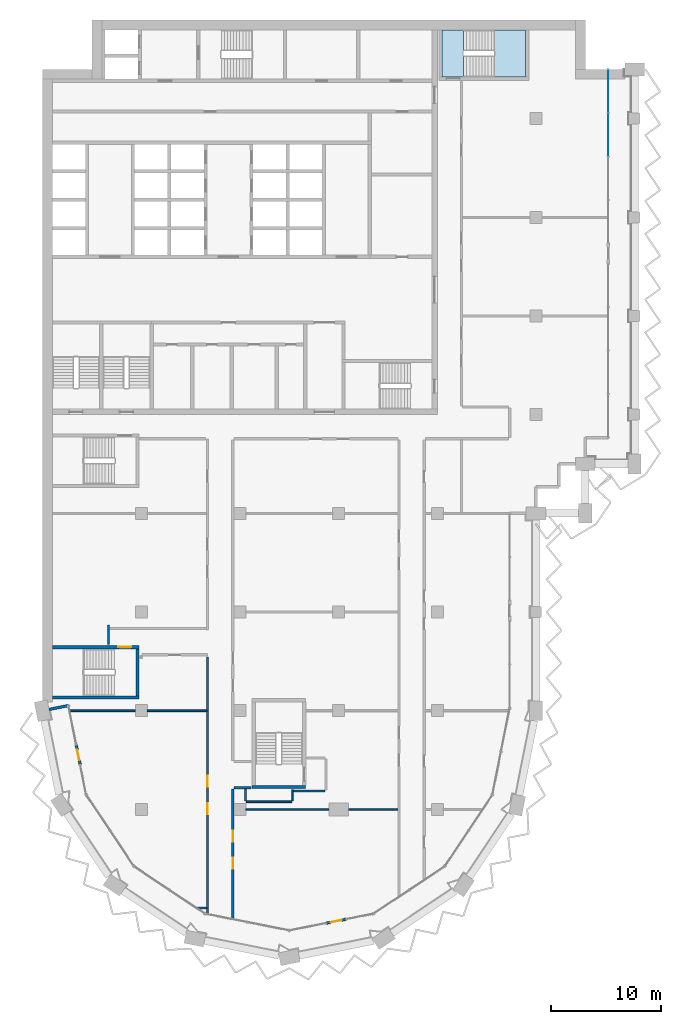
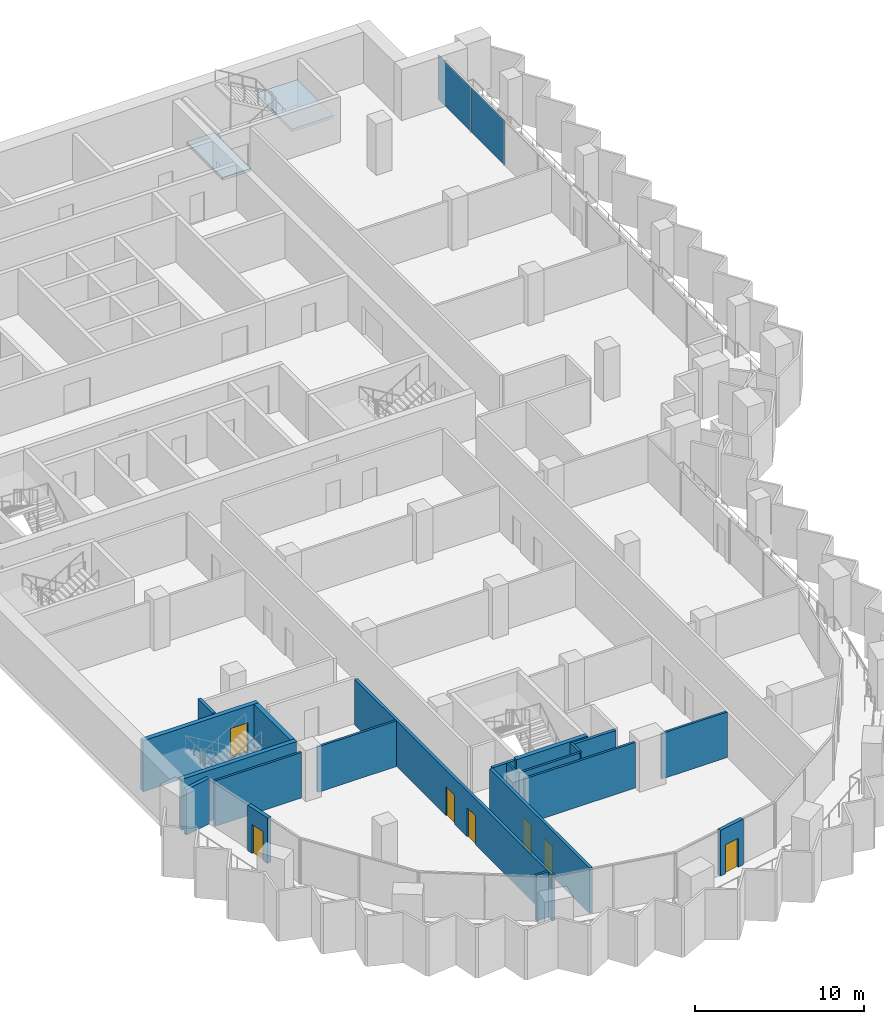
# One storey, part 7 of 17: 20 walls, 7 doors, 2 plates, 2 slabs, 7 openings, 2 elements without a shape of their own.
"""IFC4 building model written with IfcOpenShell, lengths in metres."""

from ifc_helpers import new_model, si_unit, direction, frame, frame_2d, origin, origin_2d, place, context, subcontext, project, spatial, polyline, rectangle, outline, extrude, material, layer, layer_set, type_object, element, fill, aggregate, save


model = new_model("IFC4")

# Units and contexts
model_context = context("Model", 3, precision=1e-05, world=origin(), true_north=direction((0.0, 1.0)))
body_context = subcontext(model_context, "Body", "Model", "MODEL_VIEW")
ifc_project = project(units=[si_unit("LENGTHUNIT", "METRE"), si_unit("AREAUNIT", "SQUARE_METRE"), si_unit("VOLUMEUNIT", "CUBIC_METRE"), si_unit("PLANEANGLEUNIT", "RADIAN"), si_unit("MASSUNIT", "GRAM", prefix="KILO")], contexts=[model_context])

# Site, building, storey
site_placement = place(None, origin())
site = spatial("IfcSite", under=ifc_project, at=site_placement, CompositionType="ELEMENT")
building_placement = place(site_placement, origin())
building = spatial("IfcBuilding", under=site, at=building_placement, Name="Hunhe Ridgeline Campus", CompositionType="ELEMENT")
storey_placement = place(building_placement, frame((0.0, 0.0, 186.5)))
storey = spatial("IfcBuildingStorey", under=building, at=storey_placement, Name="L47", CompositionType="ELEMENT", Elevation=186.5)

# Curtain wall, plates
ifc_material_1 = material(Name="Aluminium 6063", Category="aluminium")
curtain_wall_type = type_object("IfcCurtainWallType", Name="Curtain wall CW-1", PredefinedType="NOTDEFINED", material=ifc_material_1)
curtain_wall_placement = place(storey_placement, origin())
curtain_wall = element("IfcCurtainWall", 1, at=curtain_wall_placement, inside=storey, type_object=curtain_wall_type, Name="Curtain wall 14", PredefinedType="NOTDEFINED")
ifc_material_2 = material(Name="Low-e laminated glass", Category="glass")
ifc_layer_1 = layer(ifc_material_2, 0.028076171875)
ifc_layer_set_1 = layer_set([ifc_layer_1], Name="Curtain wall glass panel 28 low-e laminated")
plate_type = type_object("IfcPlateType", Name="Curtain wall glass panel 28 low-e laminated", PredefinedType="CURTAIN_PANEL", material=ifc_layer_set_1)
plate_1_placement = place(storey_placement, frame((51.59912109375, 88.53759765625, 0.0), z_axis=(0.0, 0.0, 1.0), x_axis=(0.0, 1.0, 0.0)))
plate_1 = element("IfcPlate", 2, at=plate_1_placement, type_object=plate_type, Name="CW-1 panel 3", PredefinedType="CURTAIN_PANEL", context=body_context, shape_type="SweptSolid", body=[
    extrude(rectangle(XDim=3.914794921875, YDim=0.028076171875, at=origin_2d()), origin(), (0.0, 0.0, 1.0), 3.239990234375),
])
plate_2_placement = place(storey_placement, frame((51.59912109375, 92.49755859375, 0.0), z_axis=(0.0, 0.0, 1.0), x_axis=(0.0, 1.0, 0.0)))
plate_2 = element("IfcPlate", 3, at=plate_2_placement, type_object=plate_type, Name="CW-1 panel 4", PredefinedType="CURTAIN_PANEL", context=body_context, shape_type="SweptSolid", body=[
    extrude(rectangle(XDim=3.884765625, YDim=0.028076171875, at=origin_2d()), origin(), (0.0, 0.0, 1.0), 3.239990234375),
])
aggregate(curtain_wall, [plate_1, plate_2])

# Stair, slab
ifc_material_3 = material(Name="Concrete C40", Category="concrete")
stair_type = type_object("IfcStairType", Name="Reinforced concrete dog-leg stair 1950 Concrete C40", PredefinedType="HALF_TURN_STAIR", material=ifc_material_3)
stair_placement = place(storey_placement, origin())
stair = element("IfcStair", 4, at=stair_placement, inside=storey, type_object=stair_type, Name="L47 E1", PredefinedType="HALF_TURN_STAIR")
ifc_layer_2 = layer(ifc_material_3, 0.199951171875)
ifc_layer_set_2 = layer_set([ifc_layer_2], Name="Reinforced concrete stair landing 200 Concrete C40")
slab_type = type_object("IfcSlabType", Name="Reinforced concrete stair landing 200 Concrete C40", PredefinedType="LANDING", material=ifc_layer_set_2)
slab_1_placement = place(storey_placement, frame((0.0, 0.0, 1.64990234375)))
slab_1 = element("IfcSlab", 5, at=slab_1_placement, type_object=slab_type, Name="ST5 landing 1", PredefinedType="LANDING", context=body_context, shape_type="SweptSolid", body=[
    extrude(outline(polyline([(41.199951171875, 93.800048828125), (44.050048828125, 93.800048828125), (44.050048828125, 98.10009765625), (41.199951171875, 98.10009765625), (41.199951171875, 93.800048828125)])), origin(), (0.0, 0.0, 1.0), 0.2001953125),
])
aggregate(stair, [slab_1])

# Slab
slab_2_placement = place(storey_placement, frame((0.0, 0.0, -0.199951171875)))
element("IfcSlab", 6, at=slab_2_placement, inside=storey, type_object=slab_type, Name="L47 stair E1 floor landing", PredefinedType="LANDING", context=body_context, shape_type="SweptSolid", body=[
    extrude(outline(polyline([(36.449951171875, 93.800048828125), (38.39990234375, 93.800048828125), (38.39990234375, 98.10009765625), (36.449951171875, 98.10009765625), (36.449951171875, 93.800048828125)])), origin(), (0.0, 0.0, 1.0), 0.199951171875),
])

# Walls
ifc_material_4 = material(Name="Concrete C30", Category="concrete")
ifc_layer_3 = layer(ifc_material_4, 0.25)
ifc_layer_set_3 = layer_set([ifc_layer_3], Name="Corner return wall 250 Concrete C30")
wall_type_1 = type_object("IfcWallType", Name="Corner return wall 250 Concrete C30", PredefinedType="SOLIDWALL", material=ifc_layer_set_3)
wall_1_placement = place(storey_placement, frame((0.58837890625, 36.117919921875, 0.0), z_axis=(0.0, 0.0, 1.0), x_axis=(0.980840518545, 0.194812415363, 0.0)))
element("IfcWall", 7, at=wall_1_placement, inside=storey, type_object=wall_type_1, Name="Corner return wall 1", PredefinedType="SOLIDWALL", context=body_context, shape_type="SweptSolid", body=[
    extrude(rectangle(XDim=1.80078125, YDim=0.25, at=frame_2d((0.900390625, 0.0))), origin(), (0.0, 0.0, 1.0), 3.300048828125),
])
ifc_material_5 = material(Name="Gypsum board partition")
ifc_layer_4 = layer(ifc_material_5, 0.199951171875)
ifc_layer_set_4 = layer_set([ifc_layer_4], Name="Corridor partition 200 gypsum board on steel studs")
wall_type_2 = type_object("IfcWallType", Name="Corridor partition 200 gypsum board on steel studs", PredefinedType="PARTITIONING", material=ifc_layer_set_4)
wall_2_placement = place(storey_placement, frame((25.75, 28.675048828125, 0.0), z_axis=(0.0, 0.0, 1.0), x_axis=(-1.0, 0.0, 0.0)))
element("IfcWall", 8, at=wall_2_placement, inside=storey, type_object=wall_type_2, Name="F-L47-wall-007", PredefinedType="PARTITIONING", context=body_context, shape_type="SweptSolid", body=[
    extrude(rectangle(XDim=2.875, YDim=0.199951171875, at=frame_2d((1.4375, 0.0))), origin(), (0.0, 0.0, 1.0), 3.300048828125),
])
wall_3_placement = place(storey_placement, frame((18.99609375, 28.97509765625, 0.0), z_axis=(0.0, 0.0, 1.0), x_axis=(-1.0, 0.0, 0.0)))
element("IfcWall", 9, at=wall_3_placement, inside=storey, type_object=wall_type_2, Name="F-L47-wall-008", PredefinedType="PARTITIONING", context=body_context, shape_type="SweptSolid", body=[
    extrude(rectangle(XDim=1.546142578125, YDim=0.199951171875, at=frame_2d((0.77294921875, 0.0))), origin(), (0.0, 0.0, 1.0), 3.300048828125),
])
wall_4_placement = place(storey_placement, frame((6.0, 42.053955078125, 0.0), z_axis=(0.0, 0.0, 1.0), x_axis=(0.0, 1.0, 0.0)))
element("IfcWall", 10, at=wall_4_placement, inside=storey, type_object=wall_type_2, Name="F-L47-wall-035", PredefinedType="PARTITIONING", context=body_context, shape_type="SweptSolid", body=[
    extrude(rectangle(XDim=1.74609375, YDim=0.199951171875, at=frame_2d((0.873046875, 0.0))), origin(), (0.0, 0.0, 1.0), 3.300048828125),
])

# Wall, openings, doors
wall_5_placement = place(storey_placement, frame((15.050048828125, 17.485107421875, 0.0), z_axis=(0.0, 0.0, 1.0), x_axis=(0.0, 1.0, 0.0)))
wall_5 = element("IfcWall", 11, at=wall_5_placement, inside=storey, type_object=wall_type_2, Name="F-L47-wall-037", PredefinedType="PARTITIONING", context=body_context, shape_type="SweptSolid", body=[
    extrude(rectangle(XDim=23.39990234375, YDim=0.199951171875, at=frame_2d((11.699951171875, 0.0))), origin(), (0.0, 0.0, 1.0), 3.300048828125),
])
opening_1_placement = place(wall_5_placement, frame((9.061279296875, 0.0, 0.0)))
opening_1 = element("IfcOpeningElement", 12, at=opening_1_placement, cuts=wall_5, Name="Opening RD1-004", PredefinedType="OPENING", context=body_context, shape_type="SweptSolid", body=[
    extrude(rectangle(XDim=1.0, YDim=2.10009765625, at=frame_2d((0.5, 1.050048828125))), frame((0.0, 0.10009765625, 0.0), z_axis=(0.0, -1.0, 0.0), x_axis=(1.0, 0.0, 0.0)), (0.0, 0.0, 1.0), 0.199951171875),
])
opening_2_placement = place(wall_5_placement, frame((11.561279296875, 0.0, 0.0)))
opening_2 = element("IfcOpeningElement", 13, at=opening_2_placement, cuts=wall_5, Name="Opening RD1-005", PredefinedType="OPENING", context=body_context, shape_type="SweptSolid", body=[
    extrude(rectangle(XDim=1.0, YDim=2.10009765625, at=frame_2d((0.5, 1.050048828125))), frame((0.0, 0.10009765625, 0.0), z_axis=(0.0, -1.0, 0.0), x_axis=(1.0, 0.0, 0.0)), (0.0, 0.0, 1.0), 0.199951171875),
])
ifc_material_6 = material(Name="Timber door leaf", Category="wood")
door_type_1 = type_object("IfcDoorType", Name="Single fire door 1000x2100 timber FD60", OperationType="NOTDEFINED", PredefinedType="DOOR", material=ifc_material_6)
door_1_placement = place(opening_1_placement, frame((1.0, 0.0, 0.0), z_axis=(0.0, 0.0, 1.0), x_axis=(-1.0, 0.0, 0.0)))
door_1 = element("IfcDoor", 14, at=door_1_placement, inside=storey, type_object=door_type_1, Name="F-L47-door-004", OperationType="SINGLE_SWING_LEFT", OverallHeight=2.10009765625, OverallWidth=1.0, PredefinedType="DOOR", context=body_context, shape_type="SweptSolid", body=[
    extrude(rectangle(XDim=1.0, YDim=2.10009765625, at=frame_2d((0.5, 1.050048828125))), frame((0.0, 0.02490234375, 0.0), z_axis=(0.0, -1.0, 0.0), x_axis=(1.0, 0.0, 0.0)), (0.0, 0.0, 1.0), 0.050048828125),
])
fill(opening_1, door_1)
door_2_placement = place(opening_2_placement, frame((1.0, 0.0, 0.0), z_axis=(0.0, 0.0, 1.0), x_axis=(-1.0, 0.0, 0.0)))
door_2 = element("IfcDoor", 15, at=door_2_placement, inside=storey, type_object=door_type_1, Name="F-L47-door-005", OperationType="SINGLE_SWING_LEFT", OverallHeight=2.10009765625, OverallWidth=1.0, PredefinedType="DOOR", context=body_context, shape_type="SweptSolid", body=[
    extrude(rectangle(XDim=1.0, YDim=2.10009765625, at=frame_2d((0.5, 1.050048828125))), frame((0.0, 0.02490234375, 0.0), z_axis=(0.0, -1.0, 0.0), x_axis=(1.0, 0.0, 0.0)), (0.0, 0.0, 1.0), 0.050048828125),
])
fill(opening_2, door_2)

wall_6_placement = place(storey_placement, frame((17.35009765625, 28.875, 0.0), z_axis=(0.0, 0.0, 1.0), x_axis=(0.0, -1.0, 0.0)))
wall_6 = element("IfcWall", 16, at=wall_6_placement, inside=storey, type_object=wall_type_2, Name="F-L47-wall-039", PredefinedType="PARTITIONING", context=body_context, shape_type="SweptSolid", body=[
    extrude(rectangle(XDim=11.847412109375, YDim=0.199951171875, at=frame_2d((5.923828125, 0.0))), origin(), (0.0, 0.0, 1.0), 3.300048828125),
])
opening_3_placement = place(wall_6_placement, frame((6.305908203125, 0.0, 0.0)))
opening_3 = element("IfcOpeningElement", 17, at=opening_3_placement, cuts=wall_6, Name="Opening RD1-001", PredefinedType="OPENING", context=body_context, shape_type="SweptSolid", body=[
    extrude(rectangle(XDim=1.0, YDim=2.10009765625, at=frame_2d((0.5, 1.050048828125))), frame((0.0, 0.10009765625, 0.0), z_axis=(0.0, -1.0, 0.0), x_axis=(1.0, 0.0, 0.0)), (0.0, 0.0, 1.0), 0.199951171875),
])
opening_4_placement = place(wall_6_placement, frame((3.805908203125, 0.0, 0.0)))
opening_4 = element("IfcOpeningElement", 18, at=opening_4_placement, cuts=wall_6, Name="Opening RD1-003", PredefinedType="OPENING", context=body_context, shape_type="SweptSolid", body=[
    extrude(rectangle(XDim=1.0, YDim=2.10009765625, at=frame_2d((0.5, 1.050048828125))), frame((0.0, 0.10009765625, 0.0), z_axis=(0.0, -1.0, 0.0), x_axis=(1.0, 0.0, 0.0)), (0.0, 0.0, 1.0), 0.199951171875),
])
door_3_placement = place(opening_3_placement, frame((1.0, 0.0, 0.0), z_axis=(0.0, 0.0, 1.0), x_axis=(-1.0, 0.0, 0.0)))
door_3 = element("IfcDoor", 19, at=door_3_placement, inside=storey, type_object=door_type_1, Name="F-L47-door-001", OperationType="SINGLE_SWING_RIGHT", OverallHeight=2.10009765625, OverallWidth=1.0, PredefinedType="DOOR", context=body_context, shape_type="SweptSolid", body=[
    extrude(rectangle(XDim=1.0, YDim=2.10009765625, at=frame_2d((0.5, 1.050048828125))), frame((0.0, 0.02490234375, 0.0), z_axis=(0.0, -1.0, 0.0), x_axis=(1.0, 0.0, 0.0)), (0.0, 0.0, 1.0), 0.050048828125),
])
fill(opening_3, door_3)
door_4_placement = place(opening_4_placement, frame((1.0, 0.0, 0.0), z_axis=(0.0, 0.0, 1.0), x_axis=(-1.0, 0.0, 0.0)))
door_4 = element("IfcDoor", 20, at=door_4_placement, inside=storey, type_object=door_type_1, Name="F-L47-door-003", OperationType="SINGLE_SWING_RIGHT", OverallHeight=2.10009765625, OverallWidth=1.0, PredefinedType="DOOR", context=body_context, shape_type="SweptSolid", body=[
    extrude(rectangle(XDim=1.0, YDim=2.10009765625, at=frame_2d((0.5, 1.050048828125))), frame((0.0, 0.02490234375, 0.0), z_axis=(0.0, -1.0, 0.0), x_axis=(1.0, 0.0, 0.0)), (0.0, 0.0, 1.0), 0.050048828125),
])
fill(opening_4, door_4)

# Wall, opening, door
ifc_layer_5 = layer(ifc_material_4, 0.25)
ifc_layer_set_5 = layer_set([ifc_layer_5], Name="Loggia door pier wall 250 Concrete C30")
wall_type_3 = type_object("IfcWallType", Name="Loggia door pier wall 250 Concrete C30", PredefinedType="SOLIDWALL", material=ifc_layer_set_5)
wall_7_placement = place(storey_placement, frame((3.076904296875, 32.8388671875, 0.0), z_axis=(0.0, 0.0, 1.0), x_axis=(0.195046569833, -0.980793982239, 0.0)))
wall_7 = element("IfcWall", 21, at=wall_7_placement, inside=storey, type_object=wall_type_3, Name="Loggia door pier 1", PredefinedType="SOLIDWALL", context=body_context, shape_type="SweptSolid", body=[
    extrude(rectangle(XDim=1.800048828125, YDim=0.25, at=frame_2d((0.89990234375, 0.0))), origin(), (0.0, 0.0, 1.0), 3.300048828125),
])
opening_5_placement = place(wall_7_placement, frame((0.39990234375, 0.0, 0.0)))
opening_5 = element("IfcOpeningElement", 22, at=opening_5_placement, cuts=wall_7, Name="Opening BD401", PredefinedType="OPENING", context=body_context, shape_type="SweptSolid", body=[
    extrude(rectangle(XDim=1.0, YDim=2.10009765625, at=frame_2d((0.5, 1.050048828125))), frame((0.0, 0.125, 0.0), z_axis=(0.0, -1.0, 0.0), x_axis=(1.0, 0.0, 0.0)), (0.0, 0.0, 1.0), 0.25),
])
door_type_2 = type_object("IfcDoorType", Name="Loggia glazed door 1000x2100", OperationType="NOTDEFINED", PredefinedType="DOOR", material=ifc_material_1)
door_5_placement = place(opening_5_placement, frame((1.0, 0.0, 0.0), z_axis=(0.0, 0.0, 1.0), x_axis=(-1.0, 0.0, 0.0)))
door_5 = element("IfcDoor", 23, at=door_5_placement, inside=storey, type_object=door_type_2, Name="Loggia door BD401", OperationType="SINGLE_SWING_RIGHT", OverallHeight=2.10009765625, OverallWidth=1.0, PredefinedType="DOOR", context=body_context, shape_type="SweptSolid", body=[
    extrude(rectangle(XDim=1.0, YDim=2.10009765625, at=frame_2d((0.5, 1.050048828125))), frame((0.0, 0.02490234375, 0.0), z_axis=(0.0, -1.0, 0.0), x_axis=(1.0, 0.0, 0.0)), (0.0, 0.0, 1.0), 0.050048828125),
])
fill(opening_5, door_5)

wall_8_placement = place(storey_placement, frame((25.8955078125, 16.62353515625, 0.0), z_axis=(0.0, 0.0, 1.0), x_axis=(0.980793982239, 0.195046569833, 0.0)))
wall_8 = element("IfcWall", 24, at=wall_8_placement, inside=storey, type_object=wall_type_3, Name="Loggia door pier 2", PredefinedType="SOLIDWALL", context=body_context, shape_type="SweptSolid", body=[
    extrude(rectangle(XDim=1.800048828125, YDim=0.25, at=frame_2d((0.89990234375, 0.0))), origin(), (0.0, 0.0, 1.0), 3.300048828125),
])
opening_6_placement = place(wall_8_placement, frame((0.39990234375, 0.0, 0.0)))
opening_6 = element("IfcOpeningElement", 25, at=opening_6_placement, cuts=wall_8, Name="Opening BD403", PredefinedType="OPENING", context=body_context, shape_type="SweptSolid", body=[
    extrude(rectangle(XDim=1.0, YDim=2.10009765625, at=frame_2d((0.5, 1.050048828125))), frame((0.0, 0.125, 0.0), z_axis=(0.0, -1.0, 0.0), x_axis=(1.0, 0.0, 0.0)), (0.0, 0.0, 1.0), 0.25),
])
door_6_placement = place(opening_6_placement, frame((1.0, 0.0, 0.0), z_axis=(0.0, 0.0, 1.0), x_axis=(-1.0, 0.0, 0.0)))
door_6 = element("IfcDoor", 26, at=door_6_placement, inside=storey, type_object=door_type_2, Name="Loggia door BD403", OperationType="SINGLE_SWING_RIGHT", OverallHeight=2.10009765625, OverallWidth=1.0, PredefinedType="DOOR", context=body_context, shape_type="SweptSolid", body=[
    extrude(rectangle(XDim=1.0, YDim=2.10009765625, at=frame_2d((0.5, 1.050048828125))), frame((0.0, 0.02490234375, 0.0), z_axis=(0.0, -1.0, 0.0), x_axis=(1.0, 0.0, 0.0)), (0.0, 0.0, 1.0), 0.050048828125),
])
fill(opening_6, door_6)

# Walls
ifc_layer_6 = layer(ifc_material_5, 0.14990234375)
ifc_layer_set_6 = layer_set([ifc_layer_6], Name="Room partition 150 gypsum board on steel studs")
wall_type_4 = type_object("IfcWallType", Name="Room partition 150 gypsum board on steel studs", PredefinedType="PARTITIONING", material=ifc_layer_set_6)
wall_9_placement = place(storey_placement, frame((14.136962890625, 18.0, 0.0), z_axis=(0.0, 0.0, 1.0), x_axis=(1.0, 0.0, 0.0)))
element("IfcWall", 27, at=wall_9_placement, inside=storey, type_object=wall_type_4, Name="F-L47-wall-001", PredefinedType="PARTITIONING", context=body_context, shape_type="SweptSolid", body=[
    extrude(rectangle(XDim=0.81298828125, YDim=0.14990234375, at=frame_2d((0.406494140625, 0.0))), origin(), (0.0, 0.0, 1.0), 3.300048828125),
])
wall_10_placement = place(storey_placement, frame((18.550048828125, 27.0, 0.0), z_axis=(0.0, 0.0, 1.0), x_axis=(1.0, 0.0, 0.0)))
element("IfcWall", 28, at=wall_10_placement, inside=storey, type_object=wall_type_4, Name="F-L47-wall-002", PredefinedType="PARTITIONING", context=body_context, shape_type="SweptSolid", body=[
    extrude(rectangle(XDim=7.550048828125, YDim=0.14990234375, at=frame_2d((3.77490234375, 0.0))), origin(), (0.0, 0.0, 1.0), 3.300048828125),
])
wall_11_placement = place(storey_placement, frame((27.89990234375, 27.0, 0.0), z_axis=(0.0, 0.0, 1.0), x_axis=(1.0, 0.0, 0.0)))
element("IfcWall", 29, at=wall_11_placement, inside=storey, type_object=wall_type_4, Name="F-L47-wall-003", PredefinedType="PARTITIONING", context=body_context, shape_type="SweptSolid", body=[
    extrude(rectangle(XDim=4.5, YDim=0.14990234375, at=frame_2d((2.25, 0.0))), origin(), (0.0, 0.0, 1.0), 3.300048828125),
])
wall_12_placement = place(storey_placement, frame((18.574951171875, 27.68994140625, 0.0), z_axis=(0.0, 0.0, 1.0), x_axis=(1.0, 0.0, 0.0)))
element("IfcWall", 30, at=wall_12_placement, inside=storey, type_object=wall_type_4, Name="F-L47-wall-006", PredefinedType="PARTITIONING", context=body_context, shape_type="SweptSolid", body=[
    extrude(rectangle(XDim=4.150146484375, YDim=0.14990234375, at=frame_2d((2.0751953125, 0.0))), origin(), (0.0, 0.0, 1.0), 3.300048828125),
])
wall_13_placement = place(storey_placement, frame((2.503173828125, 36.0, 0.0), z_axis=(0.0, 0.0, 1.0), x_axis=(1.0, 0.0, 0.0)))
element("IfcWall", 31, at=wall_13_placement, inside=storey, type_object=wall_type_4, Name="F-L47-wall-011", PredefinedType="PARTITIONING", context=body_context, shape_type="SweptSolid", body=[
    extrude(rectangle(XDim=5.94677734375, YDim=0.14990234375, at=frame_2d((2.973388671875, 0.0))), origin(), (0.0, 0.0, 1.0), 3.300048828125),
])
wall_14_placement = place(storey_placement, frame((9.550048828125, 36.0, 0.0), z_axis=(0.0, 0.0, 1.0), x_axis=(1.0, 0.0, 0.0)))
element("IfcWall", 32, at=wall_14_placement, inside=storey, type_object=wall_type_4, Name="F-L47-wall-012", PredefinedType="PARTITIONING", context=body_context, shape_type="SweptSolid", body=[
    extrude(rectangle(XDim=5.39990234375, YDim=0.14990234375, at=frame_2d((2.699951171875, 0.0))), origin(), (0.0, 0.0, 1.0), 3.300048828125),
])
wall_15_placement = place(storey_placement, frame((18.5, 28.875, 0.0), z_axis=(0.0, 0.0, 1.0), x_axis=(0.0, -1.0, 0.0)))
element("IfcWall", 33, at=wall_15_placement, inside=storey, type_object=wall_type_4, Name="F-L47-wall-041", PredefinedType="PARTITIONING", context=body_context, shape_type="SweptSolid", body=[
    extrude(rectangle(XDim=1.110107421875, YDim=0.14990234375, at=frame_2d((0.55517578125, 0.0))), origin(), (0.0, 0.0, 1.0), 3.300048828125),
])
wall_16_placement = place(storey_placement, frame((22.800048828125, 28.7958984375, 0.0), z_axis=(0.0, 0.0, 1.0), x_axis=(0.0, -1.0, 0.0)))
element("IfcWall", 34, at=wall_16_placement, inside=storey, type_object=wall_type_4, Name="F-L47-wall-042", PredefinedType="PARTITIONING", context=body_context, shape_type="SweptSolid", body=[
    extrude(rectangle(XDim=1.031005859375, YDim=0.14990234375, at=frame_2d((0.515625, 0.0))), origin(), (0.0, 0.0, 1.0), 3.300048828125),
])
ifc_material_7 = material(Name="Concrete C60", Category="concrete")
ifc_layer_7 = layer(ifc_material_7, 0.300048828125)
ifc_layer_set_7 = layer_set([ifc_layer_7], Name="Stair wall 300 reinforced concrete C60")
wall_type_5 = type_object("IfcWallType", Name="Stair wall 300 reinforced concrete C60", PredefinedType="SOLIDWALL", material=ifc_layer_set_7)
wall_17_placement = place(storey_placement, frame((19.10009765625, 29.050048828125, -0.39990234375), z_axis=(0.0, 0.0, 1.0), x_axis=(1.0, 0.0, 0.0)))
element("IfcWall", 35, at=wall_17_placement, inside=storey, type_object=wall_type_5, Name="L47 core wall 1", PredefinedType="SOLIDWALL", context=body_context, shape_type="SweptSolid", body=[
    extrude(rectangle(XDim=4.89990234375, YDim=0.300048828125, at=frame_2d((2.449951171875, 0.0))), origin(), (0.0, 0.0, 1.0), 3.699951171875),
])
wall_18_placement = place(storey_placement, frame((0.89990234375, 37.199951171875, -0.39990234375), z_axis=(0.0, 0.0, 1.0), x_axis=(1.0, 0.0, 0.0)))
element("IfcWall", 36, at=wall_18_placement, inside=storey, type_object=wall_type_5, Name="L47 core wall 3", PredefinedType="SOLIDWALL", context=body_context, shape_type="SweptSolid", body=[
    extrude(rectangle(XDim=7.900146484375, YDim=0.300048828125, at=frame_2d((3.9501953125, 0.0))), origin(), (0.0, 0.0, 1.0), 3.699951171875),
])

# Wall, opening, door
wall_19_placement = place(storey_placement, frame((0.89990234375, 41.800048828125, -0.39990234375), z_axis=(0.0, 0.0, 1.0), x_axis=(1.0, 0.0, 0.0)))
wall_19 = element("IfcWall", 37, at=wall_19_placement, inside=storey, type_object=wall_type_5, Name="L47 core wall 4", PredefinedType="SOLIDWALL", context=body_context, shape_type="SweptSolid", body=[
    extrude(rectangle(XDim=7.900146484375, YDim=0.300048828125, at=frame_2d((3.9501953125, 0.0))), origin(), (0.0, 0.0, 1.0), 3.699951171875),
])
opening_7_placement = place(wall_19_placement, frame((6.0, 0.0, 0.39990234375)))
opening_7 = element("IfcOpeningElement", 38, at=opening_7_placement, cuts=wall_19, Name="Opening CD21", PredefinedType="OPENING", context=body_context, shape_type="SweptSolid", body=[
    extrude(rectangle(XDim=1.199951171875, YDim=2.10009765625, at=frame_2d((0.60009765625, 1.050048828125))), frame((0.0, 0.14990234375, 0.0), z_axis=(0.0, -1.0, 0.0), x_axis=(1.0, 0.0, 0.0)), (0.0, 0.0, 1.0), 0.300048828125),
])
ifc_material_8 = material(Name="Hollow metal fire door leaf")
door_type_3 = type_object("IfcDoorType", Name="Stair door 1200x2100 FD60", OperationType="SINGLE_SWING_LEFT", PredefinedType="DOOR", material=ifc_material_8)
door_7_placement = place(opening_7_placement, origin())
door_7 = element("IfcDoor", 39, at=door_7_placement, inside=storey, type_object=door_type_3, Name="L47 door W1", OperationType="SINGLE_SWING_LEFT", OverallHeight=2.10009765625, OverallWidth=1.199951171875, PredefinedType="DOOR", context=body_context, shape_type="SweptSolid", body=[
    extrude(rectangle(XDim=1.199951171875, YDim=2.10009765625, at=frame_2d((0.60009765625, 1.050048828125))), frame((0.0, 0.02490234375, 0.0), z_axis=(0.0, -1.0, 0.0), x_axis=(1.0, 0.0, 0.0)), (0.0, 0.0, 1.0), 0.050048828125),
])
fill(opening_7, door_7)

# Wall
wall_20_placement = place(storey_placement, frame((8.64990234375, 37.35009765625, -0.39990234375), z_axis=(0.0, 0.0, 1.0), x_axis=(0.0, 1.0, 0.0)))
element("IfcWall", 40, at=wall_20_placement, inside=storey, type_object=wall_type_5, Name="L47 core wall 33", PredefinedType="SOLIDWALL", context=body_context, shape_type="SweptSolid", body=[
    extrude(rectangle(XDim=4.2998046875, YDim=0.300048828125, at=frame_2d((2.14990234375, 0.0))), origin(), (0.0, 0.0, 1.0), 3.699951171875),
])

save(model, "model.ifc")
